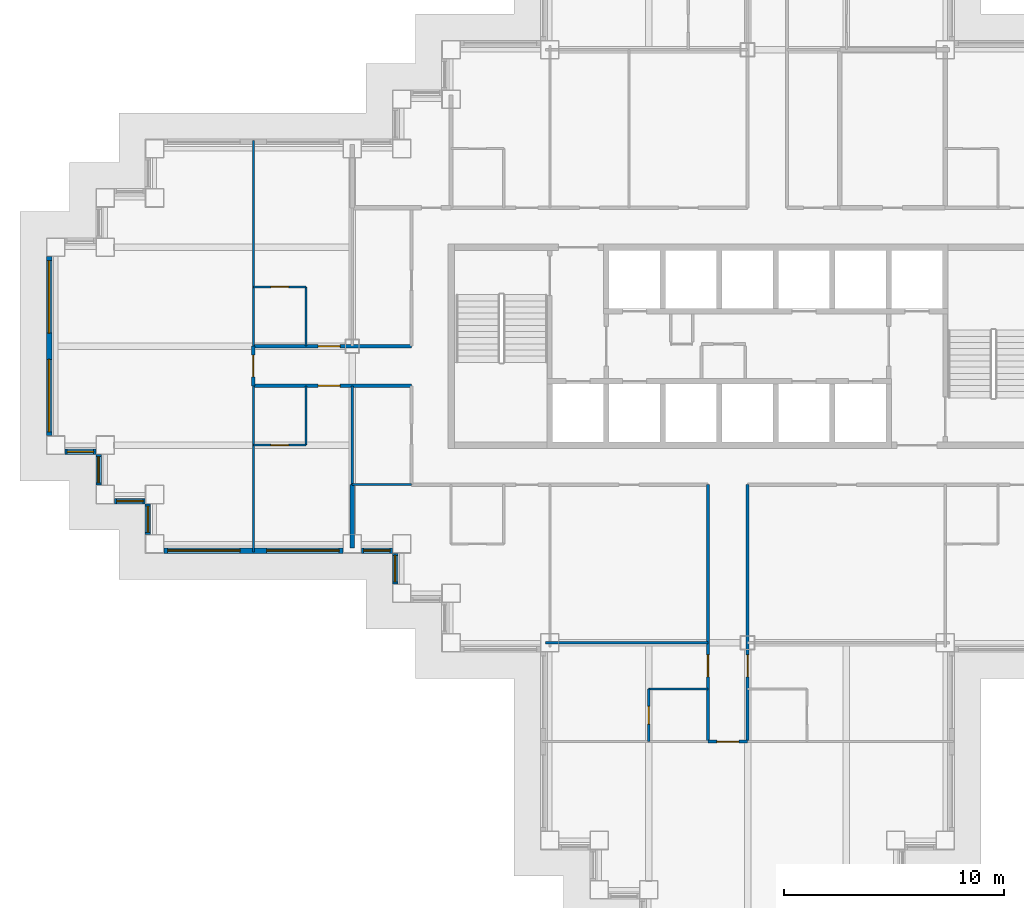
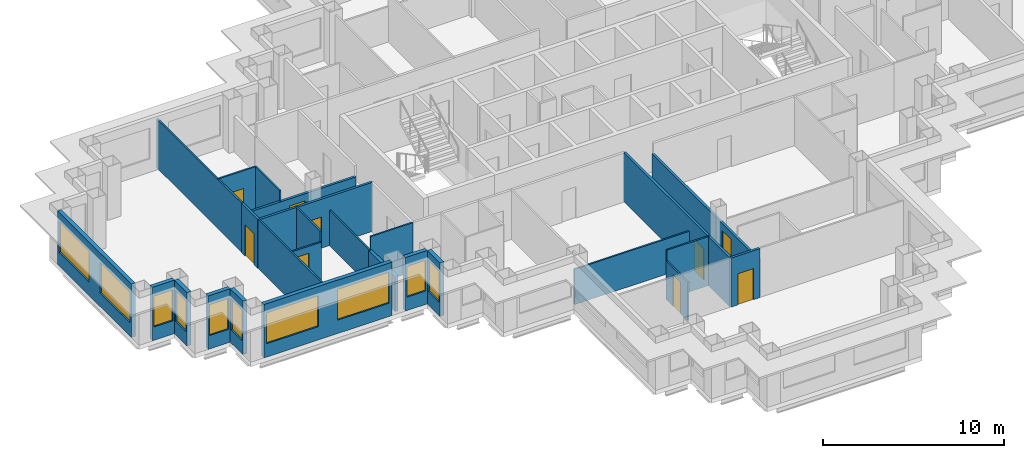
# One storey, part 4 of 15: 26 walls, 10 windows, 9 doors, 19 openings.
"""IFC4 building model written with IfcOpenShell, lengths in metres."""

from ifc_helpers import new_model, si_unit, direction, frame, frame_2d, origin, place, context, subcontext, project, spatial, rectangle, extrude, material, layer, layer_set, type_object, element, fill, save


model = new_model("IFC4")

# Units and contexts
model_context = context("Model", 3, precision=1e-05, world=origin(), true_north=direction((0.0, 1.0)))
body_context = subcontext(model_context, "Body", "Model", "MODEL_VIEW")
ifc_project = project(units=[si_unit("LENGTHUNIT", "METRE"), si_unit("AREAUNIT", "SQUARE_METRE"), si_unit("VOLUMEUNIT", "CUBIC_METRE"), si_unit("PLANEANGLEUNIT", "RADIAN"), si_unit("MASSUNIT", "GRAM", prefix="KILO")], contexts=[model_context])

# Site, building, storey
site_placement = place(None, origin())
site = spatial("IfcSite", under=ifc_project, at=site_placement, CompositionType="ELEMENT")
building_placement = place(site_placement, origin())
building = spatial("IfcBuilding", under=site, at=building_placement, Name="Caravel Reach Hotel and Residences", CompositionType="ELEMENT")
storey_placement = place(building_placement, frame((0.0, 0.0, 122.39990234375)))
storey = spatial("IfcBuildingStorey", under=building, at=storey_placement, Name="L30", CompositionType="ELEMENT", Elevation=122.39990234375)

# Wall
ifc_material_1 = material(Name="Gypsum board on steel stud", Category="steel")
ifc_layer_1 = layer(ifc_material_1, 0.10009765625)
ifc_layer_set_1 = layer_set([ifc_layer_1], Name="Bathroom pod wall 100 mm")
wall_type_1 = type_object("IfcWallType", Name="Bathroom pod wall 100 mm", PredefinedType="PARTITIONING", material=ifc_layer_set_1)
wall_1_placement = place(storey_placement, frame((27.0, 11.39990234375, 0.0), z_axis=(0.0, 0.0, 1.0), x_axis=(1.0, 0.0, 0.0)))
element("IfcWall", 1, at=wall_1_placement, inside=storey, type_object=wall_type_1, Name="L30 wall w068", PredefinedType="PARTITIONING", context=body_context, shape_type="SweptSolid", body=[
    extrude(rectangle(XDim=2.699951171875, YDim=0.10009765625, at=frame_2d((1.35009765625, 0.0))), origin(), (0.0, 0.0, 1.0), 3.300048828125),
])

# Wall, opening, door
wall_2_placement = place(storey_placement, frame((9.0, 22.5, 0.0), z_axis=(0.0, 0.0, 1.0), x_axis=(1.0, 0.0, 0.0)))
wall_2 = element("IfcWall", 2, at=wall_2_placement, inside=storey, type_object=wall_type_1, Name="L30 wall w071", PredefinedType="PARTITIONING", context=body_context, shape_type="SweptSolid", body=[
    extrude(rectangle(XDim=2.39990234375, YDim=0.10009765625, at=frame_2d((1.199951171875, 0.0))), origin(), (0.0, 0.0, 1.0), 2.580078125),
])
opening_1_placement = place(wall_2_placement, frame((0.800048828125, 0.0, 0.0)))
opening_1 = element("IfcOpeningElement", 3, at=opening_1_placement, cuts=wall_2, Name="Opening D30-017", PredefinedType="OPENING", context=body_context, shape_type="SweptSolid", body=[
    extrude(rectangle(XDim=0.800048828125, YDim=2.10009765625, at=frame_2d((0.39990234375, 1.050048828125))), frame((0.0, 0.06005859375, 0.0), z_axis=(0.0, -1.0, 0.0), x_axis=(1.0, 0.0, 0.0)), (0.0, 0.0, 1.0), 0.1201171875),
])
ifc_material_2 = material(Name="Timber and steel door leaf", Category="steel")
door_type_1 = type_object("IfcDoorType", Name="Bathroom door 800 x 2100", OperationType="SINGLE_SWING_LEFT", PredefinedType="DOOR", material=ifc_material_2)
door_1_placement = place(opening_1_placement, origin())
door_1 = element("IfcDoor", 4, at=door_1_placement, inside=storey, type_object=door_type_1, Name="door D30-017", OperationType="SINGLE_SWING_RIGHT", OverallHeight=2.10009765625, OverallWidth=0.800048828125, PredefinedType="DOOR", context=body_context, shape_type="SweptSolid", body=[
    extrude(rectangle(XDim=0.800048828125, YDim=2.10009765625, at=frame_2d((0.39990234375, 1.050048828125))), frame((0.0, 0.02490234375, 0.0), z_axis=(0.0, -1.0, 0.0), x_axis=(1.0, 0.0, 0.0)), (0.0, 0.0, 1.0), 0.050048828125),
])
fill(opening_1, door_1)

wall_3_placement = place(storey_placement, frame((9.0, 29.699951171875, 0.0), z_axis=(0.0, 0.0, 1.0), x_axis=(1.0, 0.0, 0.0)))
wall_3 = element("IfcWall", 5, at=wall_3_placement, inside=storey, type_object=wall_type_1, Name="L30 wall w074", PredefinedType="PARTITIONING", context=body_context, shape_type="SweptSolid", body=[
    extrude(rectangle(XDim=2.39990234375, YDim=0.10009765625, at=frame_2d((1.199951171875, 0.0))), origin(), (0.0, 0.0, 1.0), 3.300048828125),
])
opening_2_placement = place(wall_3_placement, frame((0.800048828125, 0.0, 0.0)))
opening_2 = element("IfcOpeningElement", 6, at=opening_2_placement, cuts=wall_3, Name="Opening D30-019", PredefinedType="OPENING", context=body_context, shape_type="SweptSolid", body=[
    extrude(rectangle(XDim=0.800048828125, YDim=2.10009765625, at=frame_2d((0.39990234375, 1.050048828125))), frame((0.0, 0.06005859375, 0.0), z_axis=(0.0, -1.0, 0.0), x_axis=(1.0, 0.0, 0.0)), (0.0, 0.0, 1.0), 0.1201171875),
])
door_2_placement = place(opening_2_placement, origin())
door_2 = element("IfcDoor", 7, at=door_2_placement, inside=storey, type_object=door_type_1, Name="door D30-019", OperationType="SINGLE_SWING_RIGHT", OverallHeight=2.10009765625, OverallWidth=0.800048828125, PredefinedType="DOOR", context=body_context, shape_type="SweptSolid", body=[
    extrude(rectangle(XDim=0.800048828125, YDim=2.10009765625, at=frame_2d((0.39990234375, 1.050048828125))), frame((0.0, 0.02490234375, 0.0), z_axis=(0.0, -1.0, 0.0), x_axis=(1.0, 0.0, 0.0)), (0.0, 0.0, 1.0), 0.050048828125),
])
fill(opening_2, door_2)

# Walls
for number, where, z_axis, x_axis, name in (
    (8, (11.39990234375, 27.0, 0.0), (0.0, 0.0, 1.0), (0.0, 1.0, 0.0), "L30 wall w081"),
    (9, (11.39990234375, 22.5, 0.0), (0.0, 0.0, 1.0), (0.0, 1.0, 0.0), "L30 wall w082"),
):
    element("IfcWall", number, at=place(storey_placement, frame(where, z_axis=z_axis, x_axis=x_axis)), inside=storey, type_object=wall_type_1, Name=name, PredefinedType="PARTITIONING", context=body_context, shape_type="SweptSolid", body=[
        extrude(rectangle(XDim=2.699951171875, YDim=0.10009765625, at=frame_2d((1.35009765625, 0.0))), origin(), (0.0, 0.0, 1.0), 3.300048828125),
    ])

# Wall, opening, door
wall_4_placement = place(storey_placement, frame((27.0, 9.0, 0.0), z_axis=(0.0, 0.0, 1.0), x_axis=(0.0, 1.0, 0.0)))
wall_4 = element("IfcWall", 10, at=wall_4_placement, inside=storey, type_object=wall_type_1, Name="L30 wall w086", PredefinedType="PARTITIONING", context=body_context, shape_type="SweptSolid", body=[
    extrude(rectangle(XDim=2.39990234375, YDim=0.10009765625, at=frame_2d((1.199951171875, 0.0))), origin(), (0.0, 0.0, 1.0), 2.580078125),
])
opening_3_placement = place(wall_4_placement, frame((0.800048828125, 0.0, 0.0)))
opening_3 = element("IfcOpeningElement", 11, at=opening_3_placement, cuts=wall_4, Name="Opening D30-033", PredefinedType="OPENING", context=body_context, shape_type="SweptSolid", body=[
    extrude(rectangle(XDim=0.800048828125, YDim=2.10009765625, at=frame_2d((0.39990234375, 1.050048828125))), frame((0.0, 0.06005859375, 0.0), z_axis=(0.0, -1.0, 0.0), x_axis=(1.0, 0.0, 0.0)), (0.0, 0.0, 1.0), 0.1201171875),
])
door_3_placement = place(opening_3_placement, origin())
door_3 = element("IfcDoor", 12, at=door_3_placement, inside=storey, type_object=door_type_1, Name="door D30-033", OperationType="SINGLE_SWING_RIGHT", OverallHeight=2.10009765625, OverallWidth=0.800048828125, PredefinedType="DOOR", context=body_context, shape_type="SweptSolid", body=[
    extrude(rectangle(XDim=0.800048828125, YDim=2.10009765625, at=frame_2d((0.39990234375, 1.050048828125))), frame((0.0, 0.02490234375, 0.0), z_axis=(0.0, -1.0, 0.0), x_axis=(1.0, 0.0, 0.0)), (0.0, 0.0, 1.0), 0.050048828125),
])
fill(opening_3, door_3)

ifc_material_3 = material(Name="Gypsum board on steel stud, fire-rated", Category="steel")
ifc_layer_2 = layer(ifc_material_3, 0.14990234375)
ifc_layer_set_2 = layer_set([ifc_layer_2], Name="Corridor wall 150 mm EI 60")
wall_type_2 = type_object("IfcWallType", Name="Corridor wall 150 mm EI 60", PredefinedType="PARTITIONING", material=ifc_layer_set_2)
wall_5_placement = place(storey_placement, frame((9.0, 25.199951171875, 0.0), z_axis=(0.0, 0.0, 1.0), x_axis=(1.0, 0.0, 0.0)))
wall_5 = element("IfcWall", 13, at=wall_5_placement, inside=storey, type_object=wall_type_2, Name="L30 wall w005", PredefinedType="PARTITIONING", context=body_context, shape_type="SweptSolid", body=[
    extrude(rectangle(XDim=7.199951171875, YDim=0.14990234375, at=frame_2d((3.60009765625, 0.0))), origin(), (0.0, 0.0, 1.0), 3.300048828125),
])
opening_4_placement = place(wall_5_placement, frame((2.949951171875, 0.0, 0.0)))
opening_4 = element("IfcOpeningElement", 14, at=opening_4_placement, cuts=wall_5, Name="Opening D30-016", PredefinedType="OPENING", context=body_context, shape_type="SweptSolid", body=[
    extrude(rectangle(XDim=1.0, YDim=2.10009765625, at=frame_2d((0.5, 1.050048828125))), frame((0.0, 0.0849609375, 0.0), z_axis=(0.0, -1.0, 0.0), x_axis=(1.0, 0.0, 0.0)), (0.0, 0.0, 1.0), 0.169921875),
])
ifc_material_4 = material(Name="Steel fire door leaf", Category="steel")
door_type_2 = type_object("IfcDoorType", Name="Guest room door 1000 x 2100 EI 30", OperationType="SINGLE_SWING_LEFT", PredefinedType="DOOR", material=ifc_material_4)
door_4_placement = place(opening_4_placement, origin())
door_4 = element("IfcDoor", 15, at=door_4_placement, inside=storey, type_object=door_type_2, Name="door D30-016", OperationType="SINGLE_SWING_RIGHT", OverallHeight=2.10009765625, OverallWidth=1.0, PredefinedType="DOOR", context=body_context, shape_type="SweptSolid", body=[
    extrude(rectangle(XDim=1.0, YDim=2.10009765625, at=frame_2d((0.5, 1.050048828125))), frame((0.0, 0.02490234375, 0.0), z_axis=(0.0, -1.0, 0.0), x_axis=(1.0, 0.0, 0.0)), (0.0, 0.0, 1.0), 0.050048828125),
])
fill(opening_4, door_4)

wall_6_placement = place(storey_placement, frame((9.0, 27.0, 0.0), z_axis=(0.0, 0.0, 1.0), x_axis=(1.0, 0.0, 0.0)))
wall_6 = element("IfcWall", 16, at=wall_6_placement, inside=storey, type_object=wall_type_2, Name="L30 wall w009", PredefinedType="PARTITIONING", context=body_context, shape_type="SweptSolid", body=[
    extrude(rectangle(XDim=7.199951171875, YDim=0.14990234375, at=frame_2d((3.60009765625, 0.0))), origin(), (0.0, 0.0, 1.0), 2.580078125),
])
opening_5_placement = place(wall_6_placement, frame((2.949951171875, 0.0, 0.0)))
opening_5 = element("IfcOpeningElement", 17, at=opening_5_placement, cuts=wall_6, Name="Opening D30-018", PredefinedType="OPENING", context=body_context, shape_type="SweptSolid", body=[
    extrude(rectangle(XDim=1.0, YDim=2.10009765625, at=frame_2d((0.5, 1.050048828125))), frame((0.0, 0.0849609375, 0.0), z_axis=(0.0, -1.0, 0.0), x_axis=(1.0, 0.0, 0.0)), (0.0, 0.0, 1.0), 0.169921875),
])
door_5_placement = place(opening_5_placement, origin())
door_5 = element("IfcDoor", 18, at=door_5_placement, inside=storey, type_object=door_type_2, Name="door D30-018", OperationType="SINGLE_SWING_RIGHT", OverallHeight=2.10009765625, OverallWidth=1.0, PredefinedType="DOOR", context=body_context, shape_type="SweptSolid", body=[
    extrude(rectangle(XDim=1.0, YDim=2.10009765625, at=frame_2d((0.5, 1.050048828125))), frame((0.0, 0.02490234375, 0.0), z_axis=(0.0, -1.0, 0.0), x_axis=(1.0, 0.0, 0.0)), (0.0, 0.0, 1.0), 0.050048828125),
])
fill(opening_5, door_5)

wall_7_placement = place(storey_placement, frame((29.699951171875, 9.0, 0.0), z_axis=(0.0, 0.0, 1.0), x_axis=(1.0, 0.0, 0.0)))
wall_7 = element("IfcWall", 19, at=wall_7_placement, inside=storey, type_object=wall_type_2, Name="L30 wall w022", PredefinedType="PARTITIONING", context=body_context, shape_type="SweptSolid", body=[
    extrude(rectangle(XDim=1.800048828125, YDim=0.14990234375, at=frame_2d((0.89990234375, 0.0))), origin(), (0.0, 0.0, 1.0), 3.300048828125),
])
opening_6_placement = place(wall_7_placement, frame((0.39990234375, 0.0, 0.0)))
opening_6 = element("IfcOpeningElement", 20, at=opening_6_placement, cuts=wall_7, Name="Opening D30-039", PredefinedType="OPENING", context=body_context, shape_type="SweptSolid", body=[
    extrude(rectangle(XDim=1.0, YDim=2.10009765625, at=frame_2d((0.5, 1.050048828125))), frame((0.0, 0.0849609375, 0.0), z_axis=(0.0, -1.0, 0.0), x_axis=(1.0, 0.0, 0.0)), (0.0, 0.0, 1.0), 0.169921875),
])
door_6_placement = place(opening_6_placement, origin())
door_6 = element("IfcDoor", 21, at=door_6_placement, inside=storey, type_object=door_type_2, Name="door D30-039", OperationType="SINGLE_SWING_RIGHT", OverallHeight=2.10009765625, OverallWidth=1.0, PredefinedType="DOOR", context=body_context, shape_type="SweptSolid", body=[
    extrude(rectangle(XDim=1.0, YDim=2.10009765625, at=frame_2d((0.5, 1.050048828125))), frame((0.0, 0.02490234375, 0.0), z_axis=(0.0, -1.0, 0.0), x_axis=(1.0, 0.0, 0.0)), (0.0, 0.0, 1.0), 0.050048828125),
])
fill(opening_6, door_6)

wall_8_placement = place(storey_placement, frame((29.699951171875, 9.0, 0.0), z_axis=(0.0, 0.0, 1.0), x_axis=(0.0, 1.0, 0.0)))
wall_8 = element("IfcWall", 22, at=wall_8_placement, inside=storey, type_object=wall_type_2, Name="L30 wall w025", PredefinedType="PARTITIONING", context=body_context, shape_type="SweptSolid", body=[
    extrude(rectangle(XDim=11.699951171875, YDim=0.14990234375, at=frame_2d((5.85009765625, 0.0))), origin(), (0.0, 0.0, 1.0), 3.300048828125),
])
opening_7_placement = place(wall_8_placement, frame((2.949951171875, 0.0, 0.0)))
opening_7 = element("IfcOpeningElement", 23, at=opening_7_placement, cuts=wall_8, Name="Opening D30-032", PredefinedType="OPENING", context=body_context, shape_type="SweptSolid", body=[
    extrude(rectangle(XDim=1.0, YDim=2.10009765625, at=frame_2d((0.5, 1.050048828125))), frame((0.0, 0.0849609375, 0.0), z_axis=(0.0, -1.0, 0.0), x_axis=(1.0, 0.0, 0.0)), (0.0, 0.0, 1.0), 0.169921875),
])
door_7_placement = place(opening_7_placement, origin())
door_7 = element("IfcDoor", 24, at=door_7_placement, inside=storey, type_object=door_type_2, Name="door D30-032", OperationType="SINGLE_SWING_RIGHT", OverallHeight=2.10009765625, OverallWidth=1.0, PredefinedType="DOOR", context=body_context, shape_type="SweptSolid", body=[
    extrude(rectangle(XDim=1.0, YDim=2.10009765625, at=frame_2d((0.5, 1.050048828125))), frame((0.0, 0.02490234375, 0.0), z_axis=(0.0, -1.0, 0.0), x_axis=(1.0, 0.0, 0.0)), (0.0, 0.0, 1.0), 0.050048828125),
])
fill(opening_7, door_7)

wall_9_placement = place(storey_placement, frame((31.5, 9.0, 0.0), z_axis=(0.0, 0.0, 1.0), x_axis=(0.0, 1.0, 0.0)))
wall_9 = element("IfcWall", 25, at=wall_9_placement, inside=storey, type_object=wall_type_2, Name="L30 wall w028", PredefinedType="PARTITIONING", context=body_context, shape_type="SweptSolid", body=[
    extrude(rectangle(XDim=11.699951171875, YDim=0.14990234375, at=frame_2d((5.85009765625, 0.0))), origin(), (0.0, 0.0, 1.0), 2.580078125),
])
opening_8_placement = place(wall_9_placement, frame((2.949951171875, 0.0, 0.0)))
opening_8 = element("IfcOpeningElement", 26, at=opening_8_placement, cuts=wall_9, Name="Opening D30-034", PredefinedType="OPENING", context=body_context, shape_type="SweptSolid", body=[
    extrude(rectangle(XDim=1.0, YDim=2.10009765625, at=frame_2d((0.5, 1.050048828125))), frame((0.0, 0.0849609375, 0.0), z_axis=(0.0, -1.0, 0.0), x_axis=(1.0, 0.0, 0.0)), (0.0, 0.0, 1.0), 0.169921875),
])
door_8_placement = place(opening_8_placement, origin())
door_8 = element("IfcDoor", 27, at=door_8_placement, inside=storey, type_object=door_type_2, Name="door D30-034", OperationType="SINGLE_SWING_RIGHT", OverallHeight=2.10009765625, OverallWidth=1.0, PredefinedType="DOOR", context=body_context, shape_type="SweptSolid", body=[
    extrude(rectangle(XDim=1.0, YDim=2.10009765625, at=frame_2d((0.5, 1.050048828125))), frame((0.0, 0.02490234375, 0.0), z_axis=(0.0, -1.0, 0.0), x_axis=(1.0, 0.0, 0.0)), (0.0, 0.0, 1.0), 0.050048828125),
])
fill(opening_8, door_8)

wall_10_placement = place(storey_placement, frame((9.0, 25.199951171875, 0.0), z_axis=(0.0, 0.0, 1.0), x_axis=(0.0, 1.0, 0.0)))
wall_10 = element("IfcWall", 28, at=wall_10_placement, inside=storey, type_object=wall_type_2, Name="L30 wall w036", PredefinedType="PARTITIONING", context=body_context, shape_type="SweptSolid", body=[
    extrude(rectangle(XDim=1.800048828125, YDim=0.14990234375, at=frame_2d((0.89990234375, 0.0))), origin(), (0.0, 0.0, 1.0), 3.300048828125),
])
opening_9_placement = place(wall_10_placement, frame((0.39990234375, 0.0, 0.0)))
opening_9 = element("IfcOpeningElement", 29, at=opening_9_placement, cuts=wall_10, Name="Opening D30-036", PredefinedType="OPENING", context=body_context, shape_type="SweptSolid", body=[
    extrude(rectangle(XDim=1.0, YDim=2.10009765625, at=frame_2d((0.5, 1.050048828125))), frame((0.0, 0.0849609375, 0.0), z_axis=(0.0, -1.0, 0.0), x_axis=(1.0, 0.0, 0.0)), (0.0, 0.0, 1.0), 0.169921875),
])
door_9_placement = place(opening_9_placement, origin())
door_9 = element("IfcDoor", 30, at=door_9_placement, inside=storey, type_object=door_type_2, Name="door D30-036", OperationType="SINGLE_SWING_RIGHT", OverallHeight=2.10009765625, OverallWidth=1.0, PredefinedType="DOOR", context=body_context, shape_type="SweptSolid", body=[
    extrude(rectangle(XDim=1.0, YDim=2.10009765625, at=frame_2d((0.5, 1.050048828125))), frame((0.0, 0.02490234375, 0.0), z_axis=(0.0, -1.0, 0.0), x_axis=(1.0, 0.0, 0.0)), (0.0, 0.0, 1.0), 0.050048828125),
])
fill(opening_9, door_9)

# Wall, openings, windows
ifc_material_5 = material(Name="Insulated rainscreen wall, aluminium cladding", Category="aluminium")
ifc_layer_3 = layer(ifc_material_5, 0.25)
ifc_layer_set_3 = layer_set([ifc_layer_3], Name="EW1 Tower rainscreen wall")
wall_type_3 = type_object("IfcWallType", Name="EW1 Tower rainscreen wall", PredefinedType="SOLIDWALL", material=ifc_layer_set_3)
wall_11_placement = place(storey_placement, frame((-0.300048828125, 31.074951171875, 0.0), z_axis=(0.0, 0.0, 1.0), x_axis=(0.0, -1.0, 0.0)))
wall_11 = element("IfcWall", 31, at=wall_11_placement, inside=storey, type_object=wall_type_3, Name="External wall L30 W50.1", PredefinedType="SOLIDWALL", context=body_context, shape_type="SweptSolid", body=[
    extrude(rectangle(XDim=8.14990234375, YDim=0.25, at=frame_2d((4.074951171875, 0.0))), origin(), (0.0, 0.0, 1.0), 3.60009765625),
])
opening_10_placement = place(wall_11_placement, frame((0.175048828125, 0.0, 0.89990234375)))
opening_10 = element("IfcOpeningElement", 32, at=opening_10_placement, cuts=wall_11, Name="Opening WN4", PredefinedType="OPENING", context=body_context, shape_type="SweptSolid", body=[
    extrude(rectangle(XDim=3.300048828125, YDim=2.080078125, at=frame_2d((1.64990234375, 1.0400390625))), frame((0.0, 0.135009765625, 0.0), z_axis=(0.0, -1.0, 0.0), x_axis=(1.0, 0.0, 0.0)), (0.0, 0.0, 1.0), 0.27001953125),
])
opening_11_placement = place(wall_11_placement, frame((4.675048828125, 0.0, 0.89990234375)))
opening_11 = element("IfcOpeningElement", 33, at=opening_11_placement, cuts=wall_11, Name="Opening WN4", PredefinedType="OPENING", context=body_context, shape_type="SweptSolid", body=[
    extrude(rectangle(XDim=3.300048828125, YDim=2.080078125, at=frame_2d((1.64990234375, 1.0400390625))), frame((0.0, 0.135009765625, 0.0), z_axis=(0.0, -1.0, 0.0), x_axis=(1.0, 0.0, 0.0)), (0.0, 0.0, 1.0), 0.27001953125),
])
ifc_material_6 = material(Name="Dark low-e glazing in black aluminium frame", Category="aluminium")
window_type_1 = type_object("IfcWindowType", Name="Hotel guest room window 3300 x 2080", PartitioningType="SINGLE_PANEL", PredefinedType="WINDOW", material=ifc_material_6)
window_1_placement = place(opening_10_placement, origin())
window_1 = element("IfcWindow", 34, at=window_1_placement, inside=storey, type_object=window_type_1, Name="Window L30 W50.1.1", OverallHeight=2.080078125, OverallWidth=3.300048828125, PartitioningType="SINGLE_PANEL", PredefinedType="WINDOW", context=body_context, shape_type="SweptSolid", body=[
    extrude(rectangle(XDim=3.300048828125, YDim=2.080078125, at=frame_2d((1.64990234375, 1.0400390625))), frame((0.0, 0.030029296875, 0.0), z_axis=(0.0, -1.0, 0.0), x_axis=(1.0, 0.0, 0.0)), (0.0, 0.0, 1.0), 0.06005859375),
])
fill(opening_10, window_1)
window_2_placement = place(opening_11_placement, origin())
window_2 = element("IfcWindow", 35, at=window_2_placement, inside=storey, type_object=window_type_1, Name="Window L30 W50.1.2", OverallHeight=2.080078125, OverallWidth=3.300048828125, PartitioningType="SINGLE_PANEL", PredefinedType="WINDOW", context=body_context, shape_type="SweptSolid", body=[
    extrude(rectangle(XDim=3.300048828125, YDim=2.080078125, at=frame_2d((1.64990234375, 1.0400390625))), frame((0.0, 0.030029296875, 0.0), z_axis=(0.0, -1.0, 0.0), x_axis=(1.0, 0.0, 0.0)), (0.0, 0.0, 1.0), 0.06005859375),
])
fill(opening_11, window_2)

# Wall, opening, window
wall_12_placement = place(storey_placement, frame((0.425048828125, 22.199951171875, 0.0), z_axis=(0.0, 0.0, 1.0), x_axis=(1.0, 0.0, 0.0)))
wall_12 = element("IfcWall", 36, at=wall_12_placement, inside=storey, type_object=wall_type_3, Name="External wall L30 S51.1", PredefinedType="SOLIDWALL", context=body_context, shape_type="SweptSolid", body=[
    extrude(rectangle(XDim=1.39990234375, YDim=0.25, at=frame_2d((0.699951171875, 0.0))), origin(), (0.0, 0.0, 1.0), 3.60009765625),
])
opening_12_placement = place(wall_12_placement, frame((0.10009765625, 0.0, 0.89990234375)))
opening_12 = element("IfcOpeningElement", 37, at=opening_12_placement, cuts=wall_12, Name="Opening WN9", PredefinedType="OPENING", context=body_context, shape_type="SweptSolid", body=[
    extrude(rectangle(XDim=1.199951171875, YDim=2.080078125, at=frame_2d((0.60009765625, 1.0400390625))), frame((0.0, 0.135009765625, 0.0), z_axis=(0.0, -1.0, 0.0), x_axis=(1.0, 0.0, 0.0)), (0.0, 0.0, 1.0), 0.27001953125),
])
ifc_material_7 = material(Name="Dark low-e glazing in black aluminium frame", Category="aluminium")
window_type_2 = type_object("IfcWindowType", Name="Hotel suite corner window 1200 x 2080", PartitioningType="SINGLE_PANEL", PredefinedType="WINDOW", material=ifc_material_7)
window_3_placement = place(opening_12_placement, origin())
window_3 = element("IfcWindow", 38, at=window_3_placement, inside=storey, type_object=window_type_2, Name="Window L30 S51.1.1", OverallHeight=2.080078125, OverallWidth=1.199951171875, PartitioningType="SINGLE_PANEL", PredefinedType="WINDOW", context=body_context, shape_type="SweptSolid", body=[
    extrude(rectangle(XDim=1.199951171875, YDim=2.080078125, at=frame_2d((0.60009765625, 1.0400390625))), frame((0.0, 0.030029296875, 0.0), z_axis=(0.0, -1.0, 0.0), x_axis=(1.0, 0.0, 0.0)), (0.0, 0.0, 1.0), 0.06005859375),
])
fill(opening_12, window_3)

wall_13_placement = place(storey_placement, frame((1.949951171875, 22.074951171875, 0.0), z_axis=(0.0, 0.0, 1.0), x_axis=(0.0, -1.0, 0.0)))
wall_13 = element("IfcWall", 39, at=wall_13_placement, inside=storey, type_object=wall_type_3, Name="External wall L30 W52.1", PredefinedType="SOLIDWALL", context=body_context, shape_type="SweptSolid", body=[
    extrude(rectangle(XDim=1.39990234375, YDim=0.25, at=frame_2d((0.699951171875, 0.0))), origin(), (0.0, 0.0, 1.0), 3.60009765625),
])
opening_13_placement = place(wall_13_placement, frame((0.10009765625, 0.0, 0.89990234375)))
opening_13 = element("IfcOpeningElement", 40, at=opening_13_placement, cuts=wall_13, Name="Opening WN9", PredefinedType="OPENING", context=body_context, shape_type="SweptSolid", body=[
    extrude(rectangle(XDim=1.199951171875, YDim=2.080078125, at=frame_2d((0.60009765625, 1.0400390625))), frame((0.0, 0.135009765625, 0.0), z_axis=(0.0, -1.0, 0.0), x_axis=(1.0, 0.0, 0.0)), (0.0, 0.0, 1.0), 0.27001953125),
])
window_4_placement = place(opening_13_placement, origin())
window_4 = element("IfcWindow", 41, at=window_4_placement, inside=storey, type_object=window_type_2, Name="Window L30 W52.1.1", OverallHeight=2.080078125, OverallWidth=1.199951171875, PartitioningType="SINGLE_PANEL", PredefinedType="WINDOW", context=body_context, shape_type="SweptSolid", body=[
    extrude(rectangle(XDim=1.199951171875, YDim=2.080078125, at=frame_2d((0.60009765625, 1.0400390625))), frame((0.0, 0.030029296875, 0.0), z_axis=(0.0, -1.0, 0.0), x_axis=(1.0, 0.0, 0.0)), (0.0, 0.0, 1.0), 0.06005859375),
])
fill(opening_13, window_4)

wall_14_placement = place(storey_placement, frame((2.675048828125, 19.949951171875, 0.0), z_axis=(0.0, 0.0, 1.0), x_axis=(1.0, 0.0, 0.0)))
wall_14 = element("IfcWall", 42, at=wall_14_placement, inside=storey, type_object=wall_type_3, Name="External wall L30 S53.1", PredefinedType="SOLIDWALL", context=body_context, shape_type="SweptSolid", body=[
    extrude(rectangle(XDim=1.39990234375, YDim=0.25, at=frame_2d((0.699951171875, 0.0))), origin(), (0.0, 0.0, 1.0), 3.60009765625),
])
opening_14_placement = place(wall_14_placement, frame((0.10009765625, 0.0, 0.89990234375)))
opening_14 = element("IfcOpeningElement", 43, at=opening_14_placement, cuts=wall_14, Name="Opening WN9", PredefinedType="OPENING", context=body_context, shape_type="SweptSolid", body=[
    extrude(rectangle(XDim=1.199951171875, YDim=2.080078125, at=frame_2d((0.60009765625, 1.0400390625))), frame((0.0, 0.135009765625, 0.0), z_axis=(0.0, -1.0, 0.0), x_axis=(1.0, 0.0, 0.0)), (0.0, 0.0, 1.0), 0.27001953125),
])
window_5_placement = place(opening_14_placement, origin())
window_5 = element("IfcWindow", 44, at=window_5_placement, inside=storey, type_object=window_type_2, Name="Window L30 S53.1.1", OverallHeight=2.080078125, OverallWidth=1.199951171875, PartitioningType="SINGLE_PANEL", PredefinedType="WINDOW", context=body_context, shape_type="SweptSolid", body=[
    extrude(rectangle(XDim=1.199951171875, YDim=2.080078125, at=frame_2d((0.60009765625, 1.0400390625))), frame((0.0, 0.030029296875, 0.0), z_axis=(0.0, -1.0, 0.0), x_axis=(1.0, 0.0, 0.0)), (0.0, 0.0, 1.0), 0.06005859375),
])
fill(opening_14, window_5)

wall_15_placement = place(storey_placement, frame((4.199951171875, 19.824951171875, 0.0), z_axis=(0.0, 0.0, 1.0), x_axis=(0.0, -1.0, 0.0)))
wall_15 = element("IfcWall", 45, at=wall_15_placement, inside=storey, type_object=wall_type_3, Name="External wall L30 W54.1", PredefinedType="SOLIDWALL", context=body_context, shape_type="SweptSolid", body=[
    extrude(rectangle(XDim=1.39990234375, YDim=0.25, at=frame_2d((0.699951171875, 0.0))), origin(), (0.0, 0.0, 1.0), 3.60009765625),
])
opening_15_placement = place(wall_15_placement, frame((0.10009765625, 0.0, 0.89990234375)))
opening_15 = element("IfcOpeningElement", 46, at=opening_15_placement, cuts=wall_15, Name="Opening WN9", PredefinedType="OPENING", context=body_context, shape_type="SweptSolid", body=[
    extrude(rectangle(XDim=1.199951171875, YDim=2.080078125, at=frame_2d((0.60009765625, 1.0400390625))), frame((0.0, 0.135009765625, 0.0), z_axis=(0.0, -1.0, 0.0), x_axis=(1.0, 0.0, 0.0)), (0.0, 0.0, 1.0), 0.27001953125),
])
window_6_placement = place(opening_15_placement, origin())
window_6 = element("IfcWindow", 47, at=window_6_placement, inside=storey, type_object=window_type_2, Name="Window L30 W54.1.1", OverallHeight=2.080078125, OverallWidth=1.199951171875, PartitioningType="SINGLE_PANEL", PredefinedType="WINDOW", context=body_context, shape_type="SweptSolid", body=[
    extrude(rectangle(XDim=1.199951171875, YDim=2.080078125, at=frame_2d((0.60009765625, 1.0400390625))), frame((0.0, 0.030029296875, 0.0), z_axis=(0.0, -1.0, 0.0), x_axis=(1.0, 0.0, 0.0)), (0.0, 0.0, 1.0), 0.06005859375),
])
fill(opening_15, window_6)

# Wall, openings, windows
wall_16_placement = place(storey_placement, frame((4.925048828125, 17.699951171875, 0.0), z_axis=(0.0, 0.0, 1.0), x_axis=(1.0, 0.0, 0.0)))
wall_16 = element("IfcWall", 48, at=wall_16_placement, inside=storey, type_object=wall_type_3, Name="External wall L30 S55.1", PredefinedType="SOLIDWALL", context=body_context, shape_type="SweptSolid", body=[
    extrude(rectangle(XDim=8.14990234375, YDim=0.25, at=frame_2d((4.074951171875, 0.0))), origin(), (0.0, 0.0, 1.0), 3.60009765625),
])
opening_16_placement = place(wall_16_placement, frame((0.175048828125, 0.0, 0.89990234375)))
opening_16 = element("IfcOpeningElement", 49, at=opening_16_placement, cuts=wall_16, Name="Opening WN4", PredefinedType="OPENING", context=body_context, shape_type="SweptSolid", body=[
    extrude(rectangle(XDim=3.300048828125, YDim=2.080078125, at=frame_2d((1.64990234375, 1.0400390625))), frame((0.0, 0.135009765625, 0.0), z_axis=(0.0, -1.0, 0.0), x_axis=(1.0, 0.0, 0.0)), (0.0, 0.0, 1.0), 0.27001953125),
])
opening_17_placement = place(wall_16_placement, frame((4.675048828125, 0.0, 0.89990234375)))
opening_17 = element("IfcOpeningElement", 50, at=opening_17_placement, cuts=wall_16, Name="Opening WN4", PredefinedType="OPENING", context=body_context, shape_type="SweptSolid", body=[
    extrude(rectangle(XDim=3.300048828125, YDim=2.080078125, at=frame_2d((1.64990234375, 1.0400390625))), frame((0.0, 0.135009765625, 0.0), z_axis=(0.0, -1.0, 0.0), x_axis=(1.0, 0.0, 0.0)), (0.0, 0.0, 1.0), 0.27001953125),
])
window_7_placement = place(opening_16_placement, origin())
window_7 = element("IfcWindow", 51, at=window_7_placement, inside=storey, type_object=window_type_1, Name="Window L30 S55.1.1", OverallHeight=2.080078125, OverallWidth=3.300048828125, PartitioningType="SINGLE_PANEL", PredefinedType="WINDOW", context=body_context, shape_type="SweptSolid", body=[
    extrude(rectangle(XDim=3.300048828125, YDim=2.080078125, at=frame_2d((1.64990234375, 1.0400390625))), frame((0.0, 0.030029296875, 0.0), z_axis=(0.0, -1.0, 0.0), x_axis=(1.0, 0.0, 0.0)), (0.0, 0.0, 1.0), 0.06005859375),
])
fill(opening_16, window_7)
window_8_placement = place(opening_17_placement, origin())
window_8 = element("IfcWindow", 52, at=window_8_placement, inside=storey, type_object=window_type_1, Name="Window L30 S55.1.2", OverallHeight=2.080078125, OverallWidth=3.300048828125, PartitioningType="SINGLE_PANEL", PredefinedType="WINDOW", context=body_context, shape_type="SweptSolid", body=[
    extrude(rectangle(XDim=3.300048828125, YDim=2.080078125, at=frame_2d((1.64990234375, 1.0400390625))), frame((0.0, 0.030029296875, 0.0), z_axis=(0.0, -1.0, 0.0), x_axis=(1.0, 0.0, 0.0)), (0.0, 0.0, 1.0), 0.06005859375),
])
fill(opening_17, window_8)

# Wall, opening, window
wall_17_placement = place(storey_placement, frame((13.925048828125, 17.699951171875, 0.0), z_axis=(0.0, 0.0, 1.0), x_axis=(1.0, 0.0, 0.0)))
wall_17 = element("IfcWall", 53, at=wall_17_placement, inside=storey, type_object=wall_type_3, Name="External wall L30 S55.2", PredefinedType="SOLIDWALL", context=body_context, shape_type="SweptSolid", body=[
    extrude(rectangle(XDim=1.39990234375, YDim=0.25, at=frame_2d((0.699951171875, 0.0))), origin(), (0.0, 0.0, 1.0), 3.60009765625),
])
opening_18_placement = place(wall_17_placement, frame((0.10009765625, 0.0, 0.89990234375)))
opening_18 = element("IfcOpeningElement", 54, at=opening_18_placement, cuts=wall_17, Name="Opening WN9", PredefinedType="OPENING", context=body_context, shape_type="SweptSolid", body=[
    extrude(rectangle(XDim=1.199951171875, YDim=2.080078125, at=frame_2d((0.60009765625, 1.0400390625))), frame((0.0, 0.135009765625, 0.0), z_axis=(0.0, -1.0, 0.0), x_axis=(1.0, 0.0, 0.0)), (0.0, 0.0, 1.0), 0.27001953125),
])
window_9_placement = place(opening_18_placement, origin())
window_9 = element("IfcWindow", 55, at=window_9_placement, inside=storey, type_object=window_type_2, Name="Window L30 S55.2.1", OverallHeight=2.080078125, OverallWidth=1.199951171875, PartitioningType="SINGLE_PANEL", PredefinedType="WINDOW", context=body_context, shape_type="SweptSolid", body=[
    extrude(rectangle(XDim=1.199951171875, YDim=2.080078125, at=frame_2d((0.60009765625, 1.0400390625))), frame((0.0, 0.030029296875, 0.0), z_axis=(0.0, -1.0, 0.0), x_axis=(1.0, 0.0, 0.0)), (0.0, 0.0, 1.0), 0.06005859375),
])
fill(opening_18, window_9)

wall_18_placement = place(storey_placement, frame((15.449951171875, 17.574951171875, 0.0), z_axis=(0.0, 0.0, 1.0), x_axis=(0.0, -1.0, 0.0)))
wall_18 = element("IfcWall", 56, at=wall_18_placement, inside=storey, type_object=wall_type_3, Name="External wall L30 W56.1", PredefinedType="SOLIDWALL", context=body_context, shape_type="SweptSolid", body=[
    extrude(rectangle(XDim=1.39990234375, YDim=0.25, at=frame_2d((0.699951171875, 0.0))), origin(), (0.0, 0.0, 1.0), 3.60009765625),
])
opening_19_placement = place(wall_18_placement, frame((0.10009765625, 0.0, 0.89990234375)))
opening_19 = element("IfcOpeningElement", 57, at=opening_19_placement, cuts=wall_18, Name="Opening WN9", PredefinedType="OPENING", context=body_context, shape_type="SweptSolid", body=[
    extrude(rectangle(XDim=1.199951171875, YDim=2.080078125, at=frame_2d((0.60009765625, 1.0400390625))), frame((0.0, 0.135009765625, 0.0), z_axis=(0.0, -1.0, 0.0), x_axis=(1.0, 0.0, 0.0)), (0.0, 0.0, 1.0), 0.27001953125),
])
window_10_placement = place(opening_19_placement, origin())
window_10 = element("IfcWindow", 58, at=window_10_placement, inside=storey, type_object=window_type_2, Name="Window L30 W56.1.1", OverallHeight=2.080078125, OverallWidth=1.199951171875, PartitioningType="SINGLE_PANEL", PredefinedType="WINDOW", context=body_context, shape_type="SweptSolid", body=[
    extrude(rectangle(XDim=1.199951171875, YDim=2.080078125, at=frame_2d((0.60009765625, 1.0400390625))), frame((0.0, 0.030029296875, 0.0), z_axis=(0.0, -1.0, 0.0), x_axis=(1.0, 0.0, 0.0)), (0.0, 0.0, 1.0), 0.06005859375),
])
fill(opening_19, window_10)

# Walls
ifc_material_8 = material(Name="Gypsum board on steel stud", Category="steel")
ifc_layer_4 = layer(ifc_material_8, 0.10009765625)
ifc_layer_set_4 = layer_set([ifc_layer_4], Name="Partition 100 mm")
wall_type_4 = type_object("IfcWallType", Name="Partition 100 mm", PredefinedType="PARTITIONING", material=ifc_layer_set_4)
wall_19_placement = place(storey_placement, frame((22.31005859375, 13.5, 0.0), z_axis=(0.0, 0.0, 1.0), x_axis=(1.0, 0.0, 0.0)))
element("IfcWall", 59, at=wall_19_placement, inside=storey, type_object=wall_type_4, Name="L30 wall w038", PredefinedType="PARTITIONING", context=body_context, shape_type="SweptSolid", body=[
    extrude(rectangle(XDim=7.389892578125, YDim=0.10009765625, at=frame_2d((3.69482421875, 0.0))), origin(), (0.0, 0.0, 1.0), 2.380126953125),
])
wall_20_placement = place(storey_placement, frame((13.5, 20.699951171875, 0.0), z_axis=(0.0, 0.0, 1.0), x_axis=(1.0, 0.0, 0.0)))
element("IfcWall", 60, at=wall_20_placement, inside=storey, type_object=wall_type_4, Name="L30 wall w039", PredefinedType="PARTITIONING", context=body_context, shape_type="SweptSolid", body=[
    extrude(rectangle(XDim=2.699951171875, YDim=0.10009765625, at=frame_2d((1.35009765625, 0.0))), origin(), (0.0, 0.0, 1.0), 3.300048828125),
])
wall_21_placement = place(storey_placement, frame((13.5, 20.699951171875, 0.0), z_axis=(0.0, 0.0, 1.0), x_axis=(0.0, 1.0, 0.0)))
element("IfcWall", 61, at=wall_21_placement, inside=storey, type_object=wall_type_4, Name="L30 wall w050", PredefinedType="PARTITIONING", context=body_context, shape_type="SweptSolid", body=[
    extrude(rectangle(XDim=4.5, YDim=0.10009765625, at=frame_2d((2.25, 0.0))), origin(), (0.0, 0.0, 1.0), 2.380126953125),
])
wall_22_placement = place(storey_placement, frame((9.0, 27.0, 0.0), z_axis=(0.0, 0.0, 1.0), x_axis=(0.0, 1.0, 0.0)))
element("IfcWall", 62, at=wall_22_placement, inside=storey, type_object=wall_type_4, Name="L30 wall w061", PredefinedType="PARTITIONING", context=body_context, shape_type="SweptSolid", body=[
    extrude(rectangle(XDim=9.364990234375, YDim=0.10009765625, at=frame_2d((4.6826171875, 0.0))), origin(), (0.0, 0.0, 1.0), 3.300048828125),
])
wall_23_placement = place(storey_placement, frame((9.0, 17.635009765625, 0.0), z_axis=(0.0, 0.0, 1.0), x_axis=(0.0, 1.0, 0.0)))
element("IfcWall", 63, at=wall_23_placement, inside=storey, type_object=wall_type_4, Name="L30 wall w062", PredefinedType="PARTITIONING", context=body_context, shape_type="SweptSolid", body=[
    extrude(rectangle(XDim=7.56494140625, YDim=0.10009765625, at=frame_2d((3.782470703125, 0.0))), origin(), (0.0, 0.0, 1.0), 3.300048828125),
])
ifc_material_9 = material(Name="Autoclaved aerated block wall")
ifc_layer_5 = layer(ifc_material_9, 0.199951171875)
ifc_layer_set_5 = layer_set([ifc_layer_5], Name="Party wall 200 mm EI 60")
wall_type_5 = type_object("IfcWallType", Name="Party wall 200 mm EI 60", PredefinedType="PARTITIONING", material=ifc_layer_set_5)
wall_24_placement = place(storey_placement, frame((13.5, 17.81005859375, 0.0), z_axis=(0.0, 0.0, 1.0), x_axis=(0.0, 1.0, 0.0)))
element("IfcWall", 64, at=wall_24_placement, inside=storey, type_object=wall_type_5, Name="L30 wall w063", PredefinedType="PARTITIONING", context=body_context, shape_type="SweptSolid", body=[
    extrude(rectangle(XDim=2.889892578125, YDim=0.199951171875, at=frame_2d((1.44482421875, 0.0))), origin(), (0.0, 0.0, 1.0), 2.380126953125),
])

save(model, "model.ifc")
